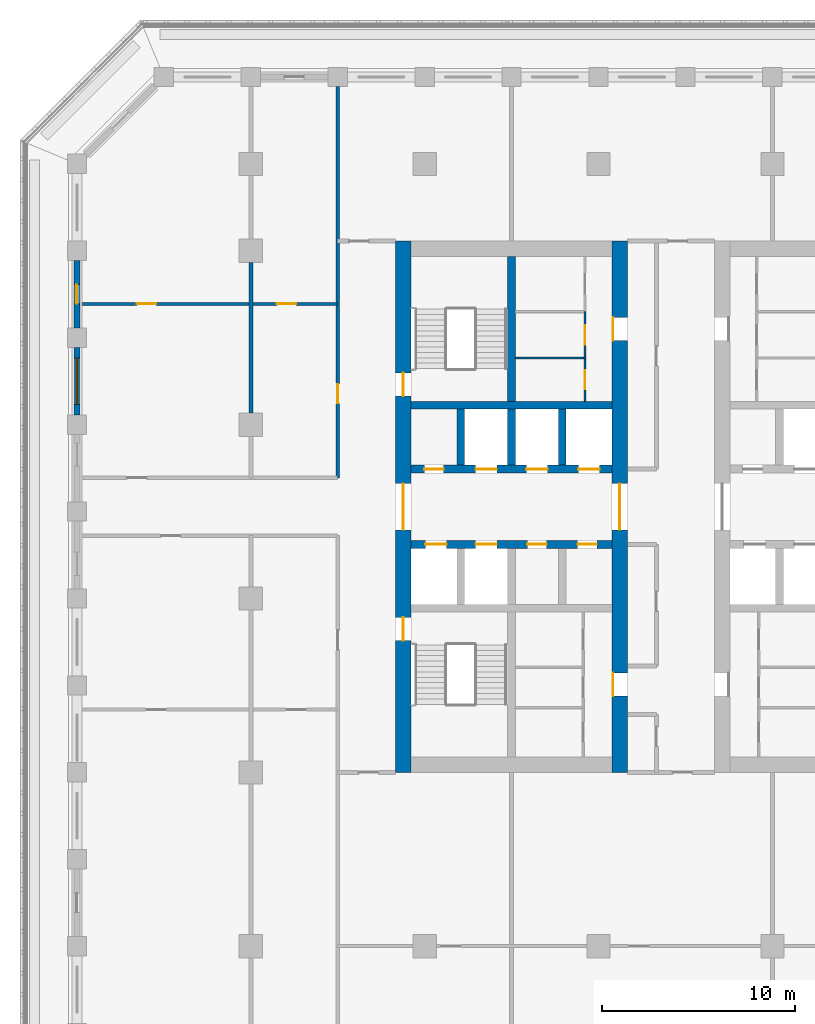
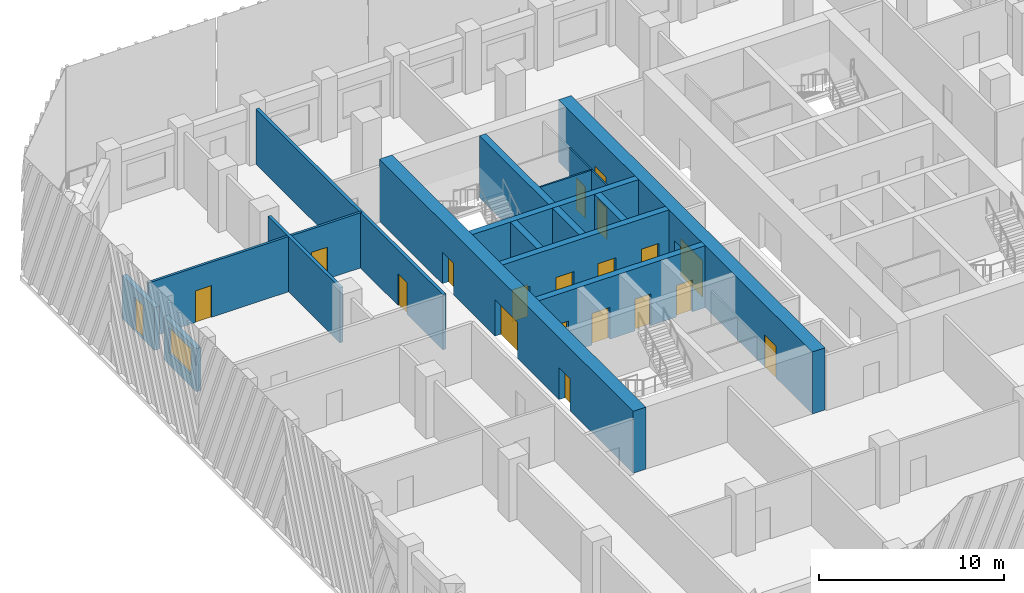
# One storey, part 5 of 16: 20 doors, 17 walls, 1 window, 21 openings.
"""IFC4 building model written with IfcOpenShell, lengths in metres."""

from ifc_helpers import new_model, si_unit, direction, frame, frame_2d, origin, place, context, subcontext, project, spatial, rectangle, extrude, material, layer, layer_set, type_object, element, fill, save


model = new_model("IFC4")

# Units and contexts
model_context = context("Model", 3, precision=1e-05, world=origin(), true_north=direction((0.0, 1.0)))
body_context = subcontext(model_context, "Body", "Model", "MODEL_VIEW")
ifc_project = project(units=[si_unit("LENGTHUNIT", "METRE"), si_unit("AREAUNIT", "SQUARE_METRE"), si_unit("VOLUMEUNIT", "CUBIC_METRE"), si_unit("PLANEANGLEUNIT", "RADIAN"), si_unit("MASSUNIT", "GRAM", prefix="KILO")], contexts=[model_context])

# Site, building, storey
site_placement = place(None, origin())
site = spatial("IfcSite", under=ifc_project, at=site_placement, CompositionType="ELEMENT")
building_placement = place(site_placement, origin())
building = spatial("IfcBuilding", under=site, at=building_placement, Name="Corbel Stack Research Tower", CompositionType="ELEMENT")
storey_placement = place(building_placement, frame((0.0, 0.0, 173.199951171875)))
storey = spatial("IfcBuildingStorey", under=building, at=storey_placement, Name="L39", CompositionType="ELEMENT", Elevation=173.199951171875)

# Wall, openings, doors
ifc_material_1 = material(Name="Concrete C60/75", Category="concrete")
ifc_layer_1 = layer(ifc_material_1, 0.39990234375)
ifc_layer_set_1 = layer_set([ifc_layer_1], Name="Concrete C60/75")
wall_type_1 = type_object("IfcWallType", Name="CW-400-60", PredefinedType="SHEAR", material=ifc_layer_set_1)
wall_1_placement = place(storey_placement, frame((-9.699951171875, 2.800048828125, 0.0), z_axis=(0.0, 0.0, 1.0), x_axis=(1.0, 0.0, 0.0)))
wall_1 = element("IfcWall", 1, at=wall_1_placement, inside=storey, type_object=wall_type_1, Name="West core wall, lobby south L39", PredefinedType="SHEAR", context=body_context, shape_type="SweptSolid", body=[
    extrude(rectangle(XDim=10.39990234375, YDim=0.39990234375, at=frame_2d((5.199951171875, 0.0))), origin(), (0.0, 0.0, 1.0), 4.10009765625),
])
opening_1_placement = place(wall_1_placement, frame((0.737548828125, 0.0, 0.0)))
opening_1 = element("IfcOpeningElement", 2, at=opening_1_placement, cuts=wall_1, Name="Opening LD-FS1", PredefinedType="OPENING", context=body_context, shape_type="SweptSolid", body=[
    extrude(rectangle(XDim=1.10009765625, YDim=2.10009765625, at=frame_2d((0.550048828125, 1.050048828125))), frame((0.0, 0.2099609375, 0.0), z_axis=(0.0, -1.0, 0.0), x_axis=(1.0, 0.0, 0.0)), (0.0, 0.0, 1.0), 0.419921875),
])
opening_2_placement = place(wall_1_placement, frame((3.33740234375, 0.0, 0.0)))
opening_2 = element("IfcOpeningElement", 3, at=opening_2_placement, cuts=wall_1, Name="Opening LD-GL1", PredefinedType="OPENING", context=body_context, shape_type="SweptSolid", body=[
    extrude(rectangle(XDim=1.10009765625, YDim=2.10009765625, at=frame_2d((0.550048828125, 1.050048828125))), frame((0.0, 0.2099609375, 0.0), z_axis=(0.0, -1.0, 0.0), x_axis=(1.0, 0.0, 0.0)), (0.0, 0.0, 1.0), 0.419921875),
])
opening_3_placement = place(wall_1_placement, frame((6.012451171875, 0.0, 0.0)))
opening_3 = element("IfcOpeningElement", 4, at=opening_3_placement, cuts=wall_1, Name="Opening CR-W12-S3", PredefinedType="OPENING", context=body_context, shape_type="SweptSolid", body=[
    extrude(rectangle(XDim=1.0, YDim=2.10009765625, at=frame_2d((0.5, 1.050048828125))), frame((0.0, 0.2099609375, 0.0), z_axis=(0.0, -1.0, 0.0), x_axis=(1.0, 0.0, 0.0)), (0.0, 0.0, 1.0), 0.419921875),
])
opening_4_placement = place(wall_1_placement, frame((8.612548828125, 0.0, 0.0)))
opening_4 = element("IfcOpeningElement", 5, at=opening_4_placement, cuts=wall_1, Name="Opening CR-W12-S4", PredefinedType="OPENING", context=body_context, shape_type="SweptSolid", body=[
    extrude(rectangle(XDim=1.0, YDim=2.10009765625, at=frame_2d((0.5, 1.050048828125))), frame((0.0, 0.2099609375, 0.0), z_axis=(0.0, -1.0, 0.0), x_axis=(1.0, 0.0, 0.0)), (0.0, 0.0, 1.0), 0.419921875),
])
ifc_material_2 = material(Name="Stainless steel landing door", Category="steel")
door_type_1 = type_object("IfcDoorType", Name="Lift landing door 1100 x 2100", OperationType="DOUBLE_DOOR_SLIDING", PredefinedType="DOOR", material=ifc_material_2)
door_1_placement = place(opening_1_placement, origin())
door_1 = element("IfcDoor", 6, at=door_1_placement, inside=storey, type_object=door_type_1, Name="Landing door FS1", OperationType="DOUBLE_DOOR_SLIDING", OverallHeight=2.10009765625, OverallWidth=1.10009765625, PredefinedType="DOOR", context=body_context, shape_type="SweptSolid", body=[
    extrude(rectangle(XDim=1.10009765625, YDim=2.10009765625, at=frame_2d((0.550048828125, 1.050048828125))), frame((0.0, 0.02490234375, 0.0), z_axis=(0.0, -1.0, 0.0), x_axis=(1.0, 0.0, 0.0)), (0.0, 0.0, 1.0), 0.050048828125),
])
fill(opening_1, door_1)
door_2_placement = place(opening_2_placement, origin())
door_2 = element("IfcDoor", 7, at=door_2_placement, inside=storey, type_object=door_type_1, Name="Landing door GL1", OperationType="DOUBLE_DOOR_SLIDING", OverallHeight=2.10009765625, OverallWidth=1.10009765625, PredefinedType="DOOR", context=body_context, shape_type="SweptSolid", body=[
    extrude(rectangle(XDim=1.10009765625, YDim=2.10009765625, at=frame_2d((0.550048828125, 1.050048828125))), frame((0.0, 0.02490234375, 0.0), z_axis=(0.0, -1.0, 0.0), x_axis=(1.0, 0.0, 0.0)), (0.0, 0.0, 1.0), 0.050048828125),
])
fill(opening_2, door_2)
ifc_material_3 = material(Name="Painted steel door", Category="steel")
door_type_2 = type_object("IfcDoorType", Name="Service door 1000 x 2100 FD60 left hand", OperationType="SINGLE_SWING_LEFT", PredefinedType="DOOR", material=ifc_material_3)
door_3_placement = place(opening_3_placement, origin())
door_3 = element("IfcDoor", 8, at=door_3_placement, inside=storey, type_object=door_type_2, Name="Vending bay door W core", OperationType="SINGLE_SWING_LEFT", OverallHeight=2.10009765625, OverallWidth=1.0, PredefinedType="DOOR", context=body_context, shape_type="SweptSolid", body=[
    extrude(rectangle(XDim=1.0, YDim=2.10009765625, at=frame_2d((0.5, 1.050048828125))), frame((0.0, 0.02490234375, 0.0), z_axis=(0.0, -1.0, 0.0), x_axis=(1.0, 0.0, 0.0)), (0.0, 0.0, 1.0), 0.050048828125),
])
fill(opening_3, door_3)
ifc_material_4 = material(Name="Painted steel door", Category="steel")
door_type_3 = type_object("IfcDoorType", Name="Service door 1000 x 2100 FD60 right hand", OperationType="SINGLE_SWING_RIGHT", PredefinedType="DOOR", material=ifc_material_4)
door_4_placement = place(opening_4_placement, origin())
door_4 = element("IfcDoor", 9, at=door_4_placement, inside=storey, type_object=door_type_3, Name="Mechanical room door W core", OperationType="SINGLE_SWING_RIGHT", OverallHeight=2.10009765625, OverallWidth=1.0, PredefinedType="DOOR", context=body_context, shape_type="SweptSolid", body=[
    extrude(rectangle(XDim=1.0, YDim=2.10009765625, at=frame_2d((0.5, 1.050048828125))), frame((0.0, 0.02490234375, 0.0), z_axis=(0.0, -1.0, 0.0), x_axis=(1.0, 0.0, 0.0)), (0.0, 0.0, 1.0), 0.050048828125),
])
fill(opening_4, door_4)

wall_2_placement = place(storey_placement, frame((-9.699951171875, 6.699951171875, 0.0), z_axis=(0.0, 0.0, 1.0), x_axis=(1.0, 0.0, 0.0)))
wall_2 = element("IfcWall", 10, at=wall_2_placement, inside=storey, type_object=wall_type_1, Name="West core wall, lobby north L39", PredefinedType="SHEAR", context=body_context, shape_type="SweptSolid", body=[
    extrude(rectangle(XDim=10.39990234375, YDim=0.39990234375, at=frame_2d((5.199951171875, 0.0))), origin(), (0.0, 0.0, 1.0), 4.10009765625),
])
opening_5_placement = place(wall_2_placement, frame((3.33740234375, 0.0, 0.0)))
opening_5 = element("IfcOpeningElement", 11, at=opening_5_placement, cuts=wall_2, Name="Opening LD-HR1", PredefinedType="OPENING", context=body_context, shape_type="SweptSolid", body=[
    extrude(rectangle(XDim=1.10009765625, YDim=2.10009765625, at=frame_2d((0.550048828125, 1.050048828125))), frame((0.0, 0.2099609375, 0.0), z_axis=(0.0, -1.0, 0.0), x_axis=(1.0, 0.0, 0.0)), (0.0, 0.0, 1.0), 0.419921875),
])
opening_6_placement = place(wall_2_placement, frame((5.96240234375, 0.0, 0.0)))
opening_6 = element("IfcOpeningElement", 12, at=opening_6_placement, cuts=wall_2, Name="Opening LD-HR2", PredefinedType="OPENING", context=body_context, shape_type="SweptSolid", body=[
    extrude(rectangle(XDim=1.10009765625, YDim=2.10009765625, at=frame_2d((0.550048828125, 1.050048828125))), frame((0.0, 0.2099609375, 0.0), z_axis=(0.0, -1.0, 0.0), x_axis=(1.0, 0.0, 0.0)), (0.0, 0.0, 1.0), 0.419921875),
])
opening_7_placement = place(wall_2_placement, frame((8.66259765625, 0.0, 0.0)))
opening_7 = element("IfcOpeningElement", 13, at=opening_7_placement, cuts=wall_2, Name="Opening LD-HR3", PredefinedType="OPENING", context=body_context, shape_type="SweptSolid", body=[
    extrude(rectangle(XDim=1.10009765625, YDim=2.10009765625, at=frame_2d((0.550048828125, 1.050048828125))), frame((0.0, 0.2099609375, 0.0), z_axis=(0.0, -1.0, 0.0), x_axis=(1.0, 0.0, 0.0)), (0.0, 0.0, 1.0), 0.419921875),
])
opening_8_placement = place(wall_2_placement, frame((0.6875, 0.0, 0.0)))
opening_8 = element("IfcOpeningElement", 14, at=opening_8_placement, cuts=wall_2, Name="Opening CR-W12-N1", PredefinedType="OPENING", context=body_context, shape_type="SweptSolid", body=[
    extrude(rectangle(XDim=1.0, YDim=2.10009765625, at=frame_2d((0.5, 1.050048828125))), frame((0.0, 0.2099609375, 0.0), z_axis=(0.0, -1.0, 0.0), x_axis=(1.0, 0.0, 0.0)), (0.0, 0.0, 1.0), 0.419921875),
])
door_5_placement = place(opening_5_placement, origin())
door_5 = element("IfcDoor", 15, at=door_5_placement, inside=storey, type_object=door_type_1, Name="Landing door HR1", OperationType="DOUBLE_DOOR_SLIDING", OverallHeight=2.10009765625, OverallWidth=1.10009765625, PredefinedType="DOOR", context=body_context, shape_type="SweptSolid", body=[
    extrude(rectangle(XDim=1.10009765625, YDim=2.10009765625, at=frame_2d((0.550048828125, 1.050048828125))), frame((0.0, 0.02490234375, 0.0), z_axis=(0.0, -1.0, 0.0), x_axis=(1.0, 0.0, 0.0)), (0.0, 0.0, 1.0), 0.050048828125),
])
fill(opening_5, door_5)
door_6_placement = place(opening_6_placement, origin())
door_6 = element("IfcDoor", 16, at=door_6_placement, inside=storey, type_object=door_type_1, Name="Landing door HR2", OperationType="DOUBLE_DOOR_SLIDING", OverallHeight=2.10009765625, OverallWidth=1.10009765625, PredefinedType="DOOR", context=body_context, shape_type="SweptSolid", body=[
    extrude(rectangle(XDim=1.10009765625, YDim=2.10009765625, at=frame_2d((0.550048828125, 1.050048828125))), frame((0.0, 0.02490234375, 0.0), z_axis=(0.0, -1.0, 0.0), x_axis=(1.0, 0.0, 0.0)), (0.0, 0.0, 1.0), 0.050048828125),
])
fill(opening_6, door_6)
door_7_placement = place(opening_7_placement, origin())
door_7 = element("IfcDoor", 17, at=door_7_placement, inside=storey, type_object=door_type_1, Name="Landing door HR3", OperationType="DOUBLE_DOOR_SLIDING", OverallHeight=2.10009765625, OverallWidth=1.10009765625, PredefinedType="DOOR", context=body_context, shape_type="SweptSolid", body=[
    extrude(rectangle(XDim=1.10009765625, YDim=2.10009765625, at=frame_2d((0.550048828125, 1.050048828125))), frame((0.0, 0.02490234375, 0.0), z_axis=(0.0, -1.0, 0.0), x_axis=(1.0, 0.0, 0.0)), (0.0, 0.0, 1.0), 0.050048828125),
])
fill(opening_7, door_7)
door_8_placement = place(opening_8_placement, origin())
door_8 = element("IfcDoor", 18, at=door_8_placement, inside=storey, type_object=door_type_2, Name="Telecom room door W core", OperationType="SINGLE_SWING_LEFT", OverallHeight=2.10009765625, OverallWidth=1.0, PredefinedType="DOOR", context=body_context, shape_type="SweptSolid", body=[
    extrude(rectangle(XDim=1.0, YDim=2.10009765625, at=frame_2d((0.5, 1.050048828125))), frame((0.0, 0.02490234375, 0.0), z_axis=(0.0, -1.0, 0.0), x_axis=(1.0, 0.0, 0.0)), (0.0, 0.0, 1.0), 0.050048828125),
])
fill(opening_8, door_8)

# Walls
wall_3_placement = place(storey_placement, frame((-9.699951171875, 10.0, 0.0), z_axis=(0.0, 0.0, 1.0), x_axis=(1.0, 0.0, 0.0)))
element("IfcWall", 19, at=wall_3_placement, inside=storey, type_object=wall_type_1, Name="West core wall, north row back L39", PredefinedType="SHEAR", context=body_context, shape_type="SweptSolid", body=[
    extrude(rectangle(XDim=10.39990234375, YDim=0.39990234375, at=frame_2d((5.199951171875, 0.0))), origin(), (0.0, 0.0, 1.0), 4.10009765625),
])
for number, where, z_axis, x_axis, name in (
    (20, (-7.125, 6.89990234375, 0.0), (0.0, 0.0, 1.0), (0.0, 1.0, 0.0), "West core wall, north shaft 1 L39"),
    (21, (-4.5, 6.89990234375, 0.0), (0.0, 0.0, 1.0), (0.0, 1.0, 0.0), "West core wall, north shaft 2 L39"),
    (22, (-1.875, 6.89990234375, 0.0), (0.0, 0.0, 1.0), (0.0, 1.0, 0.0), "West core wall, north shaft 3 L39"),
):
    element("IfcWall", number, at=place(storey_placement, frame(where, z_axis=z_axis, x_axis=x_axis)), inside=storey, type_object=wall_type_1, Name=name, PredefinedType="SHEAR", context=body_context, shape_type="SweptSolid", body=[
        extrude(rectangle(XDim=2.900146484375, YDim=0.39990234375, at=frame_2d((1.4501953125, 0.0))), origin(), (0.0, 0.0, 1.0), 4.10009765625),
    ])
wall_4_placement = place(storey_placement, frame((-4.5, 10.199951171875, 0.0), z_axis=(0.0, 0.0, 1.0), x_axis=(0.0, 1.0, 0.0)))
element("IfcWall", 23, at=wall_4_placement, inside=storey, type_object=wall_type_1, Name="West core wall, north stair and riser L39", PredefinedType="SHEAR", context=body_context, shape_type="SweptSolid", body=[
    extrude(rectangle(XDim=7.5, YDim=0.39990234375, at=frame_2d((3.75, 0.0))), origin(), (0.0, 0.0, 1.0), 4.10009765625),
])

# Wall, openings, doors
ifc_material_5 = material(Name="Concrete C60/75", Category="concrete")
ifc_layer_2 = layer(ifc_material_5, 0.800048828125)
ifc_layer_set_2 = layer_set([ifc_layer_2], Name="Concrete C60/75")
wall_type_2 = type_object("IfcWallType", Name="CW-800-60", PredefinedType="SHEAR", material=ifc_layer_set_2)
wall_5_placement = place(storey_placement, frame((-10.10009765625, -9.0, 0.0), z_axis=(0.0, 0.0, 1.0), x_axis=(0.0, 1.0, 0.0)))
wall_5 = element("IfcWall", 24, at=wall_5_placement, inside=storey, type_object=wall_type_2, Name="West core wall, west face L39", PredefinedType="SHEAR", context=body_context, shape_type="SweptSolid", body=[
    extrude(rectangle(XDim=27.5, YDim=0.800048828125, at=frame_2d((13.75, 0.0))), origin(), (0.0, 0.0, 1.0), 4.10009765625),
])
opening_9_placement = place(wall_5_placement, frame((12.550048828125, 0.0, 0.0)))
opening_9 = element("IfcOpeningElement", 25, at=opening_9_placement, cuts=wall_5, Name="Opening CD-W-W", PredefinedType="OPENING", context=body_context, shape_type="SweptSolid", body=[
    extrude(rectangle(XDim=2.39990234375, YDim=2.39990234375, at=frame_2d((1.199951171875, 1.199951171875))), frame((0.0, 0.409912109375, 0.0), z_axis=(0.0, -1.0, 0.0), x_axis=(1.0, 0.0, 0.0)), (0.0, 0.0, 1.0), 0.820068359375),
])
opening_10_placement = place(wall_5_placement, frame((6.824951171875, 0.0, 0.0)))
opening_10 = element("IfcOpeningElement", 26, at=opening_10_placement, cuts=wall_5, Name="Opening SD-ST-W1", PredefinedType="OPENING", context=body_context, shape_type="SweptSolid", body=[
    extrude(rectangle(XDim=1.199951171875, YDim=2.10009765625, at=frame_2d((0.60009765625, 1.050048828125))), frame((0.0, 0.409912109375, 0.0), z_axis=(0.0, -1.0, 0.0), x_axis=(1.0, 0.0, 0.0)), (0.0, 0.0, 1.0), 0.820068359375),
])
opening_11_placement = place(wall_5_placement, frame((19.47509765625, 0.0, 0.0)))
opening_11 = element("IfcOpeningElement", 27, at=opening_11_placement, cuts=wall_5, Name="Opening SD-ST-W2", PredefinedType="OPENING", context=body_context, shape_type="SweptSolid", body=[
    extrude(rectangle(XDim=1.199951171875, YDim=2.10009765625, at=frame_2d((0.60009765625, 1.050048828125))), frame((0.0, 0.409912109375, 0.0), z_axis=(0.0, -1.0, 0.0), x_axis=(1.0, 0.0, 0.0)), (0.0, 0.0, 1.0), 0.820068359375),
])
ifc_material_6 = material(Name="Painted steel fire door", Category="steel")
door_type_4 = type_object("IfcDoorType", Name="Lobby door pair 2400 x 2400 FD30S", OperationType="DOUBLE_DOOR_DOUBLE_SWING", PredefinedType="DOOR", material=ifc_material_6)
door_9_placement = place(opening_9_placement, origin())
door_9 = element("IfcDoor", 28, at=door_9_placement, inside=storey, type_object=door_type_4, Name="Lift lobby door W core W", OperationType="DOUBLE_DOOR_DOUBLE_SWING", OverallHeight=2.39990234375, OverallWidth=2.39990234375, PredefinedType="DOOR", context=body_context, shape_type="SweptSolid", body=[
    extrude(rectangle(XDim=2.39990234375, YDim=2.39990234375, at=frame_2d((1.199951171875, 1.199951171875))), frame((0.0, 0.02490234375, 0.0), z_axis=(0.0, -1.0, 0.0), x_axis=(1.0, 0.0, 0.0)), (0.0, 0.0, 1.0), 0.050048828125),
])
fill(opening_9, door_9)
ifc_material_7 = material(Name="Painted steel fire door", Category="steel")
door_type_5 = type_object("IfcDoorType", Name="Stair door 1200 x 2100 FD90 left hand", OperationType="SINGLE_SWING_LEFT", PredefinedType="DOOR", material=ifc_material_7)
door_10_placement = place(opening_10_placement, origin())
door_10 = element("IfcDoor", 29, at=door_10_placement, inside=storey, type_object=door_type_5, Name="Stair door ST-W1", OperationType="SINGLE_SWING_LEFT", OverallHeight=2.10009765625, OverallWidth=1.199951171875, PredefinedType="DOOR", context=body_context, shape_type="SweptSolid", body=[
    extrude(rectangle(XDim=1.199951171875, YDim=2.10009765625, at=frame_2d((0.60009765625, 1.050048828125))), frame((0.0, 0.02490234375, 0.0), z_axis=(0.0, -1.0, 0.0), x_axis=(1.0, 0.0, 0.0)), (0.0, 0.0, 1.0), 0.050048828125),
])
fill(opening_10, door_10)
door_11_placement = place(opening_11_placement, origin())
door_11 = element("IfcDoor", 30, at=door_11_placement, inside=storey, type_object=door_type_5, Name="Stair door ST-W2", OperationType="SINGLE_SWING_LEFT", OverallHeight=2.10009765625, OverallWidth=1.199951171875, PredefinedType="DOOR", context=body_context, shape_type="SweptSolid", body=[
    extrude(rectangle(XDim=1.199951171875, YDim=2.10009765625, at=frame_2d((0.60009765625, 1.050048828125))), frame((0.0, 0.02490234375, 0.0), z_axis=(0.0, -1.0, 0.0), x_axis=(1.0, 0.0, 0.0)), (0.0, 0.0, 1.0), 0.050048828125),
])
fill(opening_11, door_11)

wall_6_placement = place(storey_placement, frame((1.10009765625, -9.0, 0.0), z_axis=(0.0, 0.0, 1.0), x_axis=(0.0, 1.0, 0.0)))
wall_6 = element("IfcWall", 31, at=wall_6_placement, inside=storey, type_object=wall_type_2, Name="West core wall, east face L39", PredefinedType="SHEAR", context=body_context, shape_type="SweptSolid", body=[
    extrude(rectangle(XDim=27.5, YDim=0.800048828125, at=frame_2d((13.75, 0.0))), origin(), (0.0, 0.0, 1.0), 4.10009765625),
])
opening_12_placement = place(wall_6_placement, frame((12.550048828125, 0.0, 0.0)))
opening_12 = element("IfcOpeningElement", 32, at=opening_12_placement, cuts=wall_6, Name="Opening CD-W-E", PredefinedType="OPENING", context=body_context, shape_type="SweptSolid", body=[
    extrude(rectangle(XDim=2.39990234375, YDim=2.39990234375, at=frame_2d((1.199951171875, 1.199951171875))), frame((0.0, 0.409912109375, 0.0), z_axis=(0.0, -1.0, 0.0), x_axis=(1.0, 0.0, 0.0)), (0.0, 0.0, 1.0), 0.820068359375),
])
opening_13_placement = place(wall_6_placement, frame((3.949951171875, 0.0, 0.0)))
opening_13 = element("IfcOpeningElement", 33, at=opening_13_placement, cuts=wall_6, Name="Opening CR-W12-W1-1200", PredefinedType="OPENING", context=body_context, shape_type="SweptSolid", body=[
    extrude(rectangle(XDim=1.199951171875, YDim=2.10009765625, at=frame_2d((0.60009765625, 1.050048828125))), frame((0.0, 0.409912109375, 0.0), z_axis=(0.0, -1.0, 0.0), x_axis=(1.0, 0.0, 0.0)), (0.0, 0.0, 1.0), 0.820068359375),
])
opening_14_placement = place(wall_6_placement, frame((22.35009765625, 0.0, 0.0)))
opening_14 = element("IfcOpeningElement", 34, at=opening_14_placement, cuts=wall_6, Name="Opening CR-W12-R1-1200", PredefinedType="OPENING", context=body_context, shape_type="SweptSolid", body=[
    extrude(rectangle(XDim=1.199951171875, YDim=2.10009765625, at=frame_2d((0.60009765625, 1.050048828125))), frame((0.0, 0.409912109375, 0.0), z_axis=(0.0, -1.0, 0.0), x_axis=(1.0, 0.0, 0.0)), (0.0, 0.0, 1.0), 0.820068359375),
])
door_12_placement = place(opening_12_placement, origin())
door_12 = element("IfcDoor", 35, at=door_12_placement, inside=storey, type_object=door_type_4, Name="Lift lobby door W core E", OperationType="DOUBLE_DOOR_DOUBLE_SWING", OverallHeight=2.39990234375, OverallWidth=2.39990234375, PredefinedType="DOOR", context=body_context, shape_type="SweptSolid", body=[
    extrude(rectangle(XDim=2.39990234375, YDim=2.39990234375, at=frame_2d((1.199951171875, 1.199951171875))), frame((0.0, 0.02490234375, 0.0), z_axis=(0.0, -1.0, 0.0), x_axis=(1.0, 0.0, 0.0)), (0.0, 0.0, 1.0), 0.050048828125),
])
fill(opening_12, door_12)
ifc_material_8 = material(Name="Painted steel door", Category="steel")
door_type_6 = type_object("IfcDoorType", Name="Service door 1200 x 2100 FD30 left hand", OperationType="SINGLE_SWING_LEFT", PredefinedType="DOOR", material=ifc_material_8)
door_13_placement = place(opening_14_placement, origin())
door_13 = element("IfcDoor", 36, at=door_13_placement, inside=storey, type_object=door_type_6, Name="Service passage door W core", OperationType="SINGLE_SWING_LEFT", OverallHeight=2.10009765625, OverallWidth=1.199951171875, PredefinedType="DOOR", context=body_context, shape_type="SweptSolid", body=[
    extrude(rectangle(XDim=1.199951171875, YDim=2.10009765625, at=frame_2d((0.60009765625, 1.050048828125))), frame((0.0, 0.375, 0.0), z_axis=(0.0, -1.0, 0.0), x_axis=(1.0, 0.0, 0.0)), (0.0, 0.0, 1.0), 0.050048828125),
])
fill(opening_14, door_13)
ifc_material_9 = material(Name="Painted timber door", Category="wood")
door_type_7 = type_object("IfcDoorType", Name="WC door 1200 x 2100 left hand", OperationType="SINGLE_SWING_LEFT", PredefinedType="DOOR", material=ifc_material_9)
door_14_placement = place(opening_13_placement, origin())
door_14 = element("IfcDoor", 37, at=door_14_placement, inside=storey, type_object=door_type_7, Name="WC lobby door W core", OperationType="SINGLE_SWING_LEFT", OverallHeight=2.10009765625, OverallWidth=1.199951171875, PredefinedType="DOOR", context=body_context, shape_type="SweptSolid", body=[
    extrude(rectangle(XDim=1.199951171875, YDim=2.10009765625, at=frame_2d((0.60009765625, 1.050048828125))), frame((0.0, 0.375, 0.0), z_axis=(0.0, -1.0, 0.0), x_axis=(1.0, 0.0, 0.0)), (0.0, 0.0, 1.0), 0.050048828125),
])
fill(opening_13, door_14)

# Wall, opening, door
ifc_material_10 = material(Name="Gypsum board")
ifc_layer_3 = layer(ifc_material_10, 0.10009765625)
ifc_layer_set_3 = layer_set([ifc_layer_3], Name="Gypsum board")
wall_type_3 = type_object("IfcWallType", Name="Core partition 100", PredefinedType="PARTITIONING", material=ifc_layer_set_3)
wall_7_placement = place(storey_placement, frame((-0.699951171875, 10.199951171875, 0.0), z_axis=(0.0, 0.0, 1.0), x_axis=(0.0, 1.0, 0.0)))
wall_7 = element("IfcWall", 38, at=wall_7_placement, inside=storey, type_object=wall_type_3, Name="Core partition W", PredefinedType="PARTITIONING", context=body_context, shape_type="SweptSolid", body=[
    extrude(rectangle(XDim=2.25, YDim=0.10009765625, at=frame_2d((1.125, 0.0))), origin(), (0.0, 0.0, 1.0), 3.650146484375),
])
opening_15_placement = place(wall_7_placement, frame((0.625, 0.0, 0.0)))
opening_15 = element("IfcOpeningElement", 39, at=opening_15_placement, cuts=wall_7, Name="Opening CR-W12-R2-1000", PredefinedType="OPENING", context=body_context, shape_type="SweptSolid", body=[
    extrude(rectangle(XDim=1.0, YDim=2.10009765625, at=frame_2d((0.5, 1.050048828125))), frame((0.0, 0.06005859375, 0.0), z_axis=(0.0, -1.0, 0.0), x_axis=(1.0, 0.0, 0.0)), (0.0, 0.0, 1.0), 0.1201171875),
])
ifc_material_11 = material(Name="Painted steel door", Category="steel")
door_type_8 = type_object("IfcDoorType", Name="Riser door 1000 x 2100 FD60 right hand", OperationType="SINGLE_SWING_RIGHT", PredefinedType="DOOR", material=ifc_material_11)
door_15_placement = place(opening_15_placement, origin())
door_15 = element("IfcDoor", 40, at=door_15_placement, inside=storey, type_object=door_type_8, Name="Mechanical riser door W core", OperationType="SINGLE_SWING_RIGHT", OverallHeight=2.10009765625, OverallWidth=1.0, PredefinedType="DOOR", context=body_context, shape_type="SweptSolid", body=[
    extrude(rectangle(XDim=1.0, YDim=2.10009765625, at=frame_2d((0.5, 1.050048828125))), frame((0.0, 0.02490234375, 0.0), z_axis=(0.0, -1.0, 0.0), x_axis=(1.0, 0.0, 0.0)), (0.0, 0.0, 1.0), 0.050048828125),
])
fill(opening_15, door_15)

wall_8_placement = place(storey_placement, frame((-0.699951171875, 12.449951171875, 0.0), z_axis=(0.0, 0.0, 1.0), x_axis=(0.0, 1.0, 0.0)))
wall_8 = element("IfcWall", 41, at=wall_8_placement, inside=storey, type_object=wall_type_3, Name="Core partition W", PredefinedType="PARTITIONING", context=body_context, shape_type="SweptSolid", body=[
    extrude(rectangle(XDim=2.400146484375, YDim=0.10009765625, at=frame_2d((1.2001953125, 0.0))), origin(), (0.0, 0.0, 1.0), 3.650146484375),
])
opening_16_placement = place(wall_8_placement, frame((0.699951171875, 0.0, 0.0)))
opening_16 = element("IfcOpeningElement", 42, at=opening_16_placement, cuts=wall_8, Name="Opening CR-W12-R3-1000", PredefinedType="OPENING", context=body_context, shape_type="SweptSolid", body=[
    extrude(rectangle(XDim=1.0, YDim=2.10009765625, at=frame_2d((0.5, 1.050048828125))), frame((0.0, 0.06005859375, 0.0), z_axis=(0.0, -1.0, 0.0), x_axis=(1.0, 0.0, 0.0)), (0.0, 0.0, 1.0), 0.1201171875),
])
ifc_material_12 = material(Name="Painted steel door", Category="steel")
door_type_9 = type_object("IfcDoorType", Name="Service door 1000 x 2100 FD30 left hand", OperationType="SINGLE_SWING_LEFT", PredefinedType="DOOR", material=ifc_material_12)
door_16_placement = place(opening_16_placement, origin())
door_16 = element("IfcDoor", 43, at=door_16_placement, inside=storey, type_object=door_type_9, Name="Pantry door W core", OperationType="SINGLE_SWING_LEFT", OverallHeight=2.10009765625, OverallWidth=1.0, PredefinedType="DOOR", context=body_context, shape_type="SweptSolid", body=[
    extrude(rectangle(XDim=1.0, YDim=2.10009765625, at=frame_2d((0.5, 1.050048828125))), frame((0.0, 0.02490234375, 0.0), z_axis=(0.0, -1.0, 0.0), x_axis=(1.0, 0.0, 0.0)), (0.0, 0.0, 1.0), 0.050048828125),
])
fill(opening_16, door_16)

# Walls
wall_9_placement = place(storey_placement, frame((-4.300048828125, 12.449951171875, 0.0), z_axis=(0.0, 0.0, 1.0), x_axis=(1.0, 0.0, 0.0)))
element("IfcWall", 44, at=wall_9_placement, inside=storey, type_object=wall_type_3, Name="Core partition W", PredefinedType="PARTITIONING", context=body_context, shape_type="SweptSolid", body=[
    extrude(rectangle(XDim=3.60009765625, YDim=0.10009765625, at=frame_2d((1.800048828125, 0.0))), origin(), (0.0, 0.0, 1.0), 3.650146484375),
])
ifc_material_13 = material(Name="Fire-rated gypsum board partition on steel studs", Category="steel")
ifc_layer_4 = layer(ifc_material_13, 0.199951171875)
ifc_layer_set_4 = layer_set([ifc_layer_4], Name="Fire-rated gypsum board partition on steel studs")
wall_type_4 = type_object("IfcWallType", Name="Fire-rated partition 200 EI 60", PredefinedType="PARTITIONING", material=ifc_layer_set_4)
wall_10_placement = place(storey_placement, frame((-18.0, 9.60009765625, 0.0), z_axis=(0.0, 0.0, 1.0), x_axis=(0.0, 1.0, 0.0)))
element("IfcWall", 45, at=wall_10_placement, inside=storey, type_object=wall_type_4, Name="Partition L39-006", PredefinedType="PARTITIONING", context=body_context, shape_type="SweptSolid", body=[
    extrude(rectangle(XDim=7.7998046875, YDim=0.199951171875, at=frame_2d((3.89990234375, 0.0))), origin(), (0.0, 0.0, 1.0), 3.650146484375),
])

# Wall, opening, door
wall_11_placement = place(storey_placement, frame((-13.5, 6.25, 0.0), z_axis=(0.0, 0.0, 1.0), x_axis=(0.0, 1.0, 0.0)))
wall_11 = element("IfcWall", 46, at=wall_11_placement, inside=storey, type_object=wall_type_4, Name="Partition L39-010", PredefinedType="PARTITIONING", context=body_context, shape_type="SweptSolid", body=[
    extrude(rectangle(XDim=20.25, YDim=0.199951171875, at=frame_2d((10.125, 0.0))), origin(), (0.0, 0.0, 1.0), 3.650146484375),
])
opening_17_placement = place(wall_11_placement, frame((3.85009765625, 0.0, 0.0)))
opening_17 = element("IfcOpeningElement", 47, at=opening_17_placement, cuts=wall_11, Name="Opening B5V1-005", PredefinedType="OPENING", context=body_context, shape_type="SweptSolid", body=[
    extrude(rectangle(XDim=1.0, YDim=2.10009765625, at=frame_2d((0.5, 1.050048828125))), frame((0.0, 0.10986328125, 0.0), z_axis=(0.0, -1.0, 0.0), x_axis=(1.0, 0.0, 0.0)), (0.0, 0.0, 1.0), 0.219970703125),
])
ifc_material_14 = material(Name="Painted steel fire door", Category="steel")
door_type_10 = type_object("IfcDoorType", Name="Fire door FD30S 1000 x 2100", OperationType="NOTDEFINED", PredefinedType="DOOR", material=ifc_material_14)
door_17_placement = place(opening_17_placement, origin())
door_17 = element("IfcDoor", 48, at=door_17_placement, inside=storey, type_object=door_type_10, Name="Door B5V1-005", OperationType="SINGLE_SWING_LEFT", OverallHeight=2.10009765625, OverallWidth=1.0, PredefinedType="DOOR", context=body_context, shape_type="SweptSolid", body=[
    extrude(rectangle(XDim=1.0, YDim=2.10009765625, at=frame_2d((0.5, 1.050048828125))), frame((0.0, 0.02490234375, 0.0), z_axis=(0.0, -1.0, 0.0), x_axis=(1.0, 0.0, 0.0)), (0.0, 0.0, 1.0), 0.050048828125),
])
fill(opening_17, door_17)

# Wall, openings, doors
ifc_material_15 = material(Name="Gypsum board partition on steel studs", Category="steel")
ifc_layer_5 = layer(ifc_material_15, 0.14990234375)
ifc_layer_set_5 = layer_set([ifc_layer_5], Name="Gypsum board partition on steel studs")
wall_type_5 = type_object("IfcWallType", Name="Partition 150", PredefinedType="PARTITIONING", material=ifc_layer_set_5)
wall_12_placement = place(storey_placement, frame((-26.85009765625, 15.25, 0.0), z_axis=(0.0, 0.0, 1.0), x_axis=(1.0, 0.0, 0.0)))
wall_12 = element("IfcWall", 49, at=wall_12_placement, inside=storey, type_object=wall_type_5, Name="Partition L39-040", PredefinedType="PARTITIONING", context=body_context, shape_type="SweptSolid", body=[
    extrude(rectangle(XDim=13.35009765625, YDim=0.14990234375, at=frame_2d((6.675048828125, 0.0))), origin(), (0.0, 0.0, 1.0), 3.650146484375),
])
opening_18_placement = place(wall_12_placement, frame((2.949951171875, 0.0, 0.0)))
opening_18 = element("IfcOpeningElement", 50, at=opening_18_placement, cuts=wall_12, Name="Opening B5V1-017", PredefinedType="OPENING", context=body_context, shape_type="SweptSolid", body=[
    extrude(rectangle(XDim=1.0, YDim=2.10009765625, at=frame_2d((0.5, 1.050048828125))), frame((0.0, 0.0849609375, 0.0), z_axis=(0.0, -1.0, 0.0), x_axis=(1.0, 0.0, 0.0)), (0.0, 0.0, 1.0), 0.169921875),
])
opening_19_placement = place(wall_12_placement, frame((10.199951171875, 0.0, 0.0)))
opening_19 = element("IfcOpeningElement", 51, at=opening_19_placement, cuts=wall_12, Name="Opening B5V1-018", PredefinedType="OPENING", context=body_context, shape_type="SweptSolid", body=[
    extrude(rectangle(XDim=1.0, YDim=2.10009765625, at=frame_2d((0.5, 1.050048828125))), frame((0.0, 0.0849609375, 0.0), z_axis=(0.0, -1.0, 0.0), x_axis=(1.0, 0.0, 0.0)), (0.0, 0.0, 1.0), 0.169921875),
])
ifc_material_16 = material(Name="Painted timber door", Category="wood")
door_type_11 = type_object("IfcDoorType", Name="Single door 1000 x 2100", OperationType="NOTDEFINED", PredefinedType="DOOR", material=ifc_material_16)
door_18_placement = place(opening_18_placement, origin())
door_18 = element("IfcDoor", 52, at=door_18_placement, inside=storey, type_object=door_type_11, Name="Door B5V1-017", OperationType="SINGLE_SWING_LEFT", OverallHeight=2.10009765625, OverallWidth=1.0, PredefinedType="DOOR", context=body_context, shape_type="SweptSolid", body=[
    extrude(rectangle(XDim=1.0, YDim=2.10009765625, at=frame_2d((0.5, 1.050048828125))), frame((0.0, 0.02490234375, 0.0), z_axis=(0.0, -1.0, 0.0), x_axis=(1.0, 0.0, 0.0)), (0.0, 0.0, 1.0), 0.050048828125),
])
fill(opening_18, door_18)
door_19_placement = place(opening_19_placement, origin())
door_19 = element("IfcDoor", 53, at=door_19_placement, inside=storey, type_object=door_type_11, Name="Door B5V1-018", OperationType="SINGLE_SWING_RIGHT", OverallHeight=2.10009765625, OverallWidth=1.0, PredefinedType="DOOR", context=body_context, shape_type="SweptSolid", body=[
    extrude(rectangle(XDim=1.0, YDim=2.10009765625, at=frame_2d((0.5, 1.050048828125))), frame((0.0, 0.02490234375, 0.0), z_axis=(0.0, -1.0, 0.0), x_axis=(1.0, 0.0, 0.0)), (0.0, 0.0, 1.0), 0.050048828125),
])
fill(opening_19, door_19)

# Wall, opening, door
ifc_material_17 = material(Name="Concrete C45/55", Category="concrete")
ifc_layer_6 = layer(ifc_material_17, 0.300048828125)
ifc_layer_set_6 = layer_set([ifc_layer_6], Name="Concrete C45/55")
wall_type_6 = type_object("IfcWallType", Name="Terracotta-faced concrete wall 300", PredefinedType="SOLIDWALL", material=ifc_layer_set_6)
wall_13_placement = place(storey_placement, frame((-27.0, 14.0, 0.0), z_axis=(0.0, 0.0, 1.0), x_axis=(0.0, 1.0, 0.0)))
wall_13 = element("IfcWall", 54, at=wall_13_placement, inside=storey, type_object=wall_type_6, Name="Facade wall L39 W02", PredefinedType="SOLIDWALL", context=body_context, shape_type="SweptSolid", body=[
    extrude(rectangle(XDim=3.5, YDim=0.300048828125, at=frame_2d((1.75, 0.0))), origin(), (0.0, 0.0, 1.0), 2.85009765625),
])
opening_20_placement = place(wall_13_placement, frame((1.25, 0.0, 0.0)))
opening_20 = element("IfcOpeningElement", 55, at=opening_20_placement, cuts=wall_13, Name="Opening L39-B10", PredefinedType="OPENING", context=body_context, shape_type="SweptSolid", body=[
    extrude(rectangle(XDim=1.0, YDim=2.199951171875, at=frame_2d((0.5, 1.10009765625))), frame((0.0, 0.159912109375, 0.0), z_axis=(0.0, -1.0, 0.0), x_axis=(1.0, 0.0, 0.0)), (0.0, 0.0, 1.0), 0.320068359375),
])
ifc_material_18 = material(Name="Aluminium frame, clear double glazing", Category="aluminium")
door_type_12 = type_object("IfcDoorType", Name="Balcony door BD1 1000 x 2200", OperationType="NOTDEFINED", PredefinedType="DOOR", material=ifc_material_18)
door_20_placement = place(opening_20_placement, origin())
door_20 = element("IfcDoor", 56, at=door_20_placement, inside=storey, type_object=door_type_12, Name="Balcony door L39-B10", OperationType="SINGLE_SWING_LEFT", OverallHeight=2.199951171875, OverallWidth=1.0, PredefinedType="DOOR", context=body_context, shape_type="SweptSolid", body=[
    extrude(rectangle(XDim=1.0, YDim=2.199951171875, at=frame_2d((0.5, 1.10009765625))), frame((0.0, 0.02490234375, 0.0), z_axis=(0.0, -1.0, 0.0), x_axis=(1.0, 0.0, 0.0)), (0.0, 0.0, 1.0), 0.050048828125),
])
fill(opening_20, door_20)

# Wall, opening, window
wall_14_placement = place(storey_placement, frame((-27.0, 9.5, 0.0), z_axis=(0.0, 0.0, 1.0), x_axis=(0.0, 1.0, 0.0)))
wall_14 = element("IfcWall", 57, at=wall_14_placement, inside=storey, type_object=wall_type_6, Name="Facade wall L39 W03", PredefinedType="SOLIDWALL", context=body_context, shape_type="SweptSolid", body=[
    extrude(rectangle(XDim=3.5, YDim=0.300048828125, at=frame_2d((1.75, 0.0))), origin(), (0.0, 0.0, 1.0), 2.85009765625),
])
opening_21_placement = place(wall_14_placement, frame((0.550048828125, 0.0, 0.800048828125)))
opening_21 = element("IfcOpeningElement", 58, at=opening_21_placement, cuts=wall_14, Name="Opening W1", PredefinedType="OPENING", context=body_context, shape_type="SweptSolid", body=[
    extrude(rectangle(XDim=2.39990234375, YDim=1.699951171875, at=frame_2d((1.199951171875, 0.85009765625))), frame((0.0, 0.159912109375, 0.0), z_axis=(0.0, -1.0, 0.0), x_axis=(1.0, 0.0, 0.0)), (0.0, 0.0, 1.0), 0.320068359375),
])
ifc_material_19 = material(Name="Aluminium frame, clear double glazing", Category="aluminium")
window_type = type_object("IfcWindowType", Name="Window W1 2400 x 1700", PartitioningType="SINGLE_PANEL", PredefinedType="WINDOW", material=ifc_material_19)
window_placement = place(opening_21_placement, origin())
window = element("IfcWindow", 59, at=window_placement, inside=storey, type_object=window_type, Name="Window W1 L39 W03", OverallHeight=1.699951171875, OverallWidth=2.39990234375, PartitioningType="SINGLE_PANEL", PredefinedType="WINDOW", context=body_context, shape_type="SweptSolid", body=[
    extrude(rectangle(XDim=2.39990234375, YDim=1.699951171875, at=frame_2d((1.199951171875, 0.85009765625))), frame((0.0, 0.030029296875, 0.0), z_axis=(0.0, -1.0, 0.0), x_axis=(1.0, 0.0, 0.0)), (0.0, 0.0, 1.0), 0.06005859375),
])
fill(opening_21, window)

save(model, "model.ifc")
